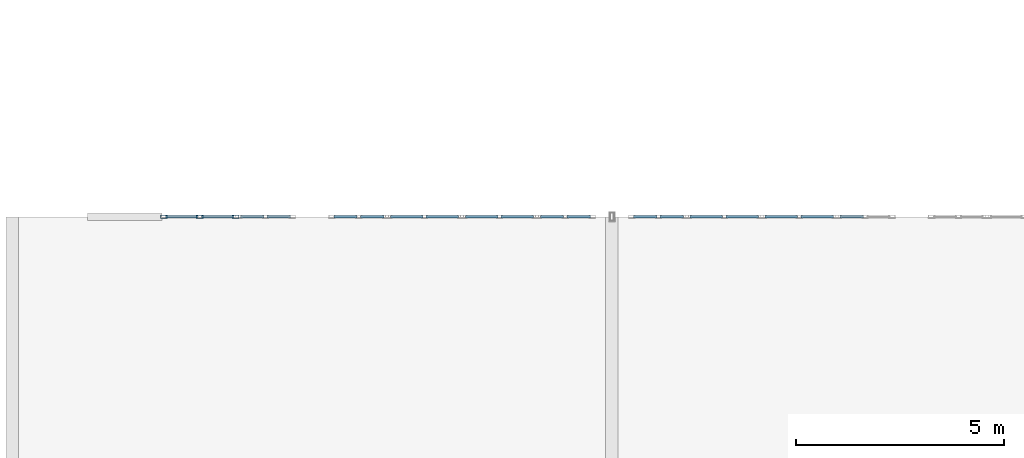
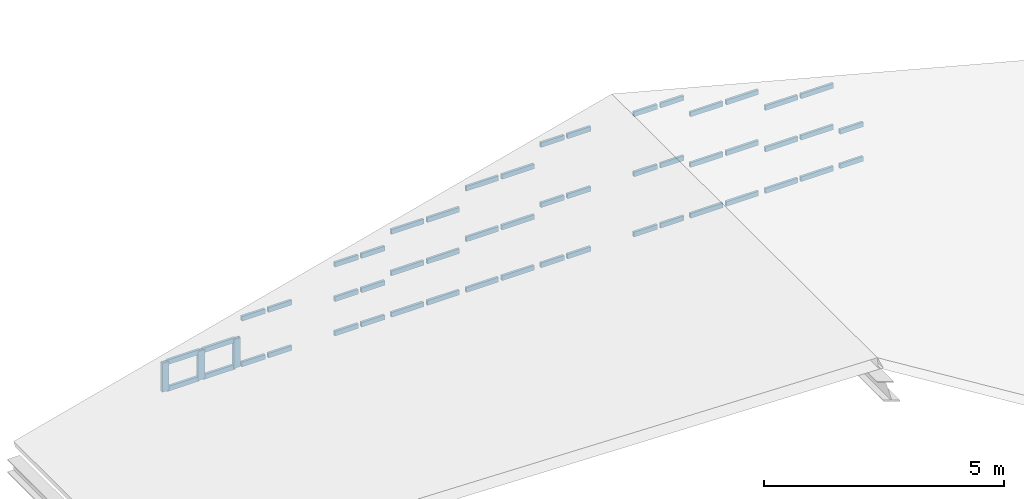
# One storey, part 38 of 76: 55 members, 10 elements without a shape of their own.
"""IFC4 building model written with IfcOpenShell, lengths in metres."""

from ifc_helpers import new_model, si_unit, direction, frame, origin, origin_2d, place, context, subcontext, project, spatial, hollow_rectangle, extrude, material, layer, layer_set, material_profile, profile_set, type_object, element, aggregate, save


model = new_model("IFC4")

# Units and contexts
model_context = context("Model", 3, precision=1e-05, world=origin(), true_north=direction((0.0, 1.0)))
body_context = subcontext(model_context, "Body", "Model", "MODEL_VIEW")
ifc_project = project(units=[si_unit("LENGTHUNIT", "METRE"), si_unit("AREAUNIT", "SQUARE_METRE"), si_unit("VOLUMEUNIT", "CUBIC_METRE"), si_unit("PLANEANGLEUNIT", "RADIAN"), si_unit("MASSUNIT", "GRAM", prefix="KILO"), si_unit("THERMODYNAMICTEMPERATUREUNIT", "KELVIN"), si_unit("POWERUNIT", "WATT")], contexts=[model_context])

# Site, building, storey
site_placement = place(None, origin())
site = spatial("IfcSite", under=ifc_project, at=site_placement, CompositionType="ELEMENT")
building_placement = place(site_placement, origin())
building = spatial("IfcBuilding", under=site, at=building_placement, Name="Kaldorven Railside Theatre", CompositionType="ELEMENT")
storey_placement = place(building_placement, frame((0.0, 0.0, 14.39990234375)))
storey = spatial("IfcBuildingStorey", under=building, at=storey_placement, Name="L03", CompositionType="ELEMENT", Elevation=14.39990234375)

# Curtain wall, members
ifc_material_1 = material(Name="Low-E laminated solar-control glass", Category="glass")
ifc_layer_1 = layer(ifc_material_1, 0.159912109375, Name="Low-E laminated solar-control glass")
ifc_layer_set_1 = layer_set([ifc_layer_1], Name="Low-E laminated solar-control glass")
curtain_wall_type_1 = type_object("IfcCurtainWallType", Name="CWT-60", PredefinedType="USERDEFINED", material=ifc_layer_set_1)
curtain_wall_1_placement = place(storey_placement, origin())
curtain_wall_1 = element("IfcCurtainWall", 1, at=curtain_wall_1_placement, inside=storey, type_object=curtain_wall_type_1, Name="Studio North Gable Clerestory CWG-126", ObjectType="FLUTED GLAZING", PredefinedType="USERDEFINED")
ifc_material_2 = material(Name="Anodised bronze aluminium", Category="aluminium")
ifc_material_profile_1 = material_profile(ifc_material_2, hollow_rectangle(XDim=0.080078125, YDim=0.159912109375, WallThickness=0.00634765625, at=origin_2d()), Name="RHS 160x80x6.3")
ifc_profile_set_1 = profile_set([ifc_material_profile_1], Name="Anodised bronze aluminium")
member_type_1 = type_object("IfcMemberType", Name="CWM-160", PredefinedType="MULLION", material=ifc_profile_set_1)
member_1_placement = place(storey_placement, frame((11.639892578125, 48.0, 0.02001953125), z_axis=(0.0, 0.0, 1.0), x_axis=(0.0, 1.0, 0.0)))
member_1 = element("IfcMember", 2, at=member_1_placement, type_object=member_type_1, Name="CWG-126 mullion 1", PredefinedType="MULLION", context=body_context, shape_type="SweptSolid", body=[
    extrude(hollow_rectangle(XDim=0.080078125, YDim=0.159912109375, WallThickness=0.00634765625, at=origin_2d()), origin(), (0.0, 0.0, 1.0), 0.739990234375),
])
member_2_placement = place(storey_placement, frame((12.5, 48.0, 0.02001953125), z_axis=(0.0, 0.0, 1.0), x_axis=(0.0, 1.0, 0.0)))
member_2 = element("IfcMember", 3, at=member_2_placement, type_object=member_type_1, Name="CWG-126 mullion 2", PredefinedType="MULLION", context=body_context, shape_type="SweptSolid", body=[
    extrude(hollow_rectangle(XDim=0.080078125, YDim=0.159912109375, WallThickness=0.00634765625, at=origin_2d()), origin(), (0.0, 0.0, 1.0), 0.739990234375),
])
member_3_placement = place(storey_placement, frame((13.360107421875, 48.0, 0.02001953125), z_axis=(0.0, 0.0, 1.0), x_axis=(0.0, 1.0, 0.0)))
member_3 = element("IfcMember", 4, at=member_3_placement, type_object=member_type_1, Name="CWG-126 mullion 3", PredefinedType="MULLION", context=body_context, shape_type="SweptSolid", body=[
    extrude(hollow_rectangle(XDim=0.080078125, YDim=0.159912109375, WallThickness=0.00634765625, at=origin_2d()), origin(), (0.0, 0.0, 1.0), 0.739990234375),
])
ifc_material_profile_2 = material_profile(ifc_material_2, hollow_rectangle(XDim=0.06005859375, YDim=0.1201171875, WallThickness=0.0048828125, at=origin_2d()), Name="RHS 120x60x5")
ifc_profile_set_2 = profile_set([ifc_material_profile_2], Name="Anodised bronze aluminium")
member_type_2 = type_object("IfcMemberType", Name="CWT-120", PredefinedType="USERDEFINED", material=ifc_profile_set_2)
member_4_placement = place(storey_placement, frame((11.679931640625, 48.0, 0.050048828125), z_axis=(1.0, 0.0, 0.0), x_axis=(0.0, 1.0, 0.0)))
member_4 = element("IfcMember", 5, at=member_4_placement, type_object=member_type_2, Name="CWG-126 transom 1.1", ObjectType="TRANSOM", PredefinedType="USERDEFINED", context=body_context, shape_type="SweptSolid", body=[
    extrude(hollow_rectangle(XDim=0.06005859375, YDim=0.1201171875, WallThickness=0.0048828125, at=origin_2d()), origin(), (0.0, 0.0, 1.0), 0.780029296875),
])
member_5_placement = place(storey_placement, frame((11.679931640625, 48.0, 0.72998046875), z_axis=(1.0, 0.0, 0.0), x_axis=(0.0, 1.0, 0.0)))
member_5 = element("IfcMember", 6, at=member_5_placement, type_object=member_type_2, Name="CWG-126 transom 1.2", ObjectType="TRANSOM", PredefinedType="USERDEFINED", context=body_context, shape_type="SweptSolid", body=[
    extrude(hollow_rectangle(XDim=0.06005859375, YDim=0.1201171875, WallThickness=0.0048828125, at=origin_2d()), origin(), (0.0, 0.0, 1.0), 0.780029296875),
])
member_6_placement = place(storey_placement, frame((12.5400390625, 48.0, 0.050048828125), z_axis=(1.0, 0.0, 0.0), x_axis=(0.0, 1.0, 0.0)))
member_6 = element("IfcMember", 7, at=member_6_placement, type_object=member_type_2, Name="CWG-126 transom 2.1", ObjectType="TRANSOM", PredefinedType="USERDEFINED", context=body_context, shape_type="SweptSolid", body=[
    extrude(hollow_rectangle(XDim=0.06005859375, YDim=0.1201171875, WallThickness=0.0048828125, at=origin_2d()), origin(), (0.0, 0.0, 1.0), 0.780029296875),
])
member_7_placement = place(storey_placement, frame((12.5400390625, 48.0, 0.72998046875), z_axis=(1.0, 0.0, 0.0), x_axis=(0.0, 1.0, 0.0)))
member_7 = element("IfcMember", 8, at=member_7_placement, type_object=member_type_2, Name="CWG-126 transom 2.2", ObjectType="TRANSOM", PredefinedType="USERDEFINED", context=body_context, shape_type="SweptSolid", body=[
    extrude(hollow_rectangle(XDim=0.06005859375, YDim=0.1201171875, WallThickness=0.0048828125, at=origin_2d()), origin(), (0.0, 0.0, 1.0), 0.780029296875),
])
aggregate(curtain_wall_1, [member_1, member_2, member_3, member_4, member_5, member_6, member_7])

ifc_layer_2 = layer(ifc_material_1, 0.159912109375, Name="Low-E laminated solar-control glass")
ifc_layer_set_2 = layer_set([ifc_layer_2], Name="Low-E laminated solar-control glass")
curtain_wall_type_2 = type_object("IfcCurtainWallType", Name="CWT-61", PredefinedType="USERDEFINED", material=ifc_layer_set_2)
curtain_wall_2_placement = place(storey_placement, origin())
curtain_wall_2 = element("IfcCurtainWall", 9, at=curtain_wall_2_placement, inside=storey, type_object=curtain_wall_type_2, Name="Studio North Gable Clerestory CWG-127", ObjectType="FLUTED GLAZING", PredefinedType="USERDEFINED")
member_8_placement = place(storey_placement, frame((13.47998046875, 48.0, 0.050048828125), z_axis=(1.0, 0.0, 0.0), x_axis=(0.0, 1.0, 0.0)))
member_8 = element("IfcMember", 10, at=member_8_placement, type_object=member_type_2, Name="CWG-127 transom 1.1", ObjectType="TRANSOM", PredefinedType="USERDEFINED", context=body_context, shape_type="SweptSolid", body=[
    extrude(hollow_rectangle(XDim=0.06005859375, YDim=0.1201171875, WallThickness=0.0048828125, at=origin_2d()), origin(), (0.0, 0.0, 1.0), 0.56005859375),
])
member_9_placement = place(storey_placement, frame((13.47998046875, 48.0, 1.210205078125), z_axis=(1.0, 0.0, 0.0), x_axis=(0.0, 1.0, 0.0)))
member_9 = element("IfcMember", 11, at=member_9_placement, type_object=member_type_2, Name="CWG-127 transom 1.2", ObjectType="TRANSOM", PredefinedType="USERDEFINED", context=body_context, shape_type="SweptSolid", body=[
    extrude(hollow_rectangle(XDim=0.06005859375, YDim=0.1201171875, WallThickness=0.0048828125, at=origin_2d()), origin(), (0.0, 0.0, 1.0), 0.56005859375),
])
member_10_placement = place(storey_placement, frame((14.1201171875, 48.0, 0.050048828125), z_axis=(1.0, 0.0, 0.0), x_axis=(0.0, 1.0, 0.0)))
member_10 = element("IfcMember", 12, at=member_10_placement, type_object=member_type_2, Name="CWG-127 transom 2.1", ObjectType="TRANSOM", PredefinedType="USERDEFINED", context=body_context, shape_type="SweptSolid", body=[
    extrude(hollow_rectangle(XDim=0.06005859375, YDim=0.1201171875, WallThickness=0.0048828125, at=origin_2d()), origin(), (0.0, 0.0, 1.0), 0.559814453125),
])
member_11_placement = place(storey_placement, frame((14.1201171875, 48.0, 1.210205078125), z_axis=(1.0, 0.0, 0.0), x_axis=(0.0, 1.0, 0.0)))
member_11 = element("IfcMember", 13, at=member_11_placement, type_object=member_type_2, Name="CWG-127 transom 2.2", ObjectType="TRANSOM", PredefinedType="USERDEFINED", context=body_context, shape_type="SweptSolid", body=[
    extrude(hollow_rectangle(XDim=0.06005859375, YDim=0.1201171875, WallThickness=0.0048828125, at=origin_2d()), origin(), (0.0, 0.0, 1.0), 0.559814453125),
])
aggregate(curtain_wall_2, [member_8, member_9, member_10, member_11])

ifc_layer_3 = layer(ifc_material_1, 0.159912109375, Name="Low-E laminated solar-control glass")
ifc_layer_set_3 = layer_set([ifc_layer_3], Name="Low-E laminated solar-control glass")
curtain_wall_type_3 = type_object("IfcCurtainWallType", Name="CWT-62", PredefinedType="USERDEFINED", material=ifc_layer_set_3)
curtain_wall_3_placement = place(storey_placement, origin())
curtain_wall_3 = element("IfcCurtainWall", 14, at=curtain_wall_3_placement, inside=storey, type_object=curtain_wall_type_3, Name="Studio North Gable Clerestory CWG-128", ObjectType="FLUTED GLAZING", PredefinedType="USERDEFINED")
member_12_placement = place(storey_placement, frame((15.719970703125, 48.0, 0.050048828125), z_axis=(1.0, 0.0, 0.0), x_axis=(0.0, 1.0, 0.0)))
member_12 = element("IfcMember", 15, at=member_12_placement, type_object=member_type_2, Name="CWG-128 transom 1.1", ObjectType="TRANSOM", PredefinedType="USERDEFINED", context=body_context, shape_type="SweptSolid", body=[
    extrude(hollow_rectangle(XDim=0.06005859375, YDim=0.1201171875, WallThickness=0.0048828125, at=origin_2d()), origin(), (0.0, 0.0, 1.0), 0.56005859375),
])
member_13_placement = place(storey_placement, frame((15.719970703125, 48.0, 0.925048828125), z_axis=(1.0, 0.0, 0.0), x_axis=(0.0, 1.0, 0.0)))
member_13 = element("IfcMember", 16, at=member_13_placement, type_object=member_type_2, Name="CWG-128 transom 1.2", ObjectType="TRANSOM", PredefinedType="USERDEFINED", context=body_context, shape_type="SweptSolid", body=[
    extrude(hollow_rectangle(XDim=0.06005859375, YDim=0.1201171875, WallThickness=0.0048828125, at=origin_2d()), origin(), (0.0, 0.0, 1.0), 0.56005859375),
])
member_14_placement = place(storey_placement, frame((15.719970703125, 48.0, 1.800048828125), z_axis=(1.0, 0.0, 0.0), x_axis=(0.0, 1.0, 0.0)))
member_14 = element("IfcMember", 17, at=member_14_placement, type_object=member_type_2, Name="CWG-128 transom 1.3", ObjectType="TRANSOM", PredefinedType="USERDEFINED", context=body_context, shape_type="SweptSolid", body=[
    extrude(hollow_rectangle(XDim=0.06005859375, YDim=0.1201171875, WallThickness=0.0048828125, at=origin_2d()), origin(), (0.0, 0.0, 1.0), 0.56005859375),
])
member_15_placement = place(storey_placement, frame((16.360107421875, 48.0, 0.050048828125), z_axis=(1.0, 0.0, 0.0), x_axis=(0.0, 1.0, 0.0)))
member_15 = element("IfcMember", 18, at=member_15_placement, type_object=member_type_2, Name="CWG-128 transom 2.1", ObjectType="TRANSOM", PredefinedType="USERDEFINED", context=body_context, shape_type="SweptSolid", body=[
    extrude(hollow_rectangle(XDim=0.06005859375, YDim=0.1201171875, WallThickness=0.0048828125, at=origin_2d()), origin(), (0.0, 0.0, 1.0), 0.559814453125),
])
member_16_placement = place(storey_placement, frame((16.360107421875, 48.0, 0.925048828125), z_axis=(1.0, 0.0, 0.0), x_axis=(0.0, 1.0, 0.0)))
member_16 = element("IfcMember", 19, at=member_16_placement, type_object=member_type_2, Name="CWG-128 transom 2.2", ObjectType="TRANSOM", PredefinedType="USERDEFINED", context=body_context, shape_type="SweptSolid", body=[
    extrude(hollow_rectangle(XDim=0.06005859375, YDim=0.1201171875, WallThickness=0.0048828125, at=origin_2d()), origin(), (0.0, 0.0, 1.0), 0.559814453125),
])
member_17_placement = place(storey_placement, frame((16.360107421875, 48.0, 1.800048828125), z_axis=(1.0, 0.0, 0.0), x_axis=(0.0, 1.0, 0.0)))
member_17 = element("IfcMember", 20, at=member_17_placement, type_object=member_type_2, Name="CWG-128 transom 2.3", ObjectType="TRANSOM", PredefinedType="USERDEFINED", context=body_context, shape_type="SweptSolid", body=[
    extrude(hollow_rectangle(XDim=0.06005859375, YDim=0.1201171875, WallThickness=0.0048828125, at=origin_2d()), origin(), (0.0, 0.0, 1.0), 0.559814453125),
])
aggregate(curtain_wall_3, [member_12, member_13, member_14, member_15, member_16, member_17])

ifc_layer_4 = layer(ifc_material_1, 0.159912109375, Name="Low-E laminated solar-control glass")
ifc_layer_set_4 = layer_set([ifc_layer_4], Name="Low-E laminated solar-control glass")
curtain_wall_type_4 = type_object("IfcCurtainWallType", Name="CWT-63", PredefinedType="USERDEFINED", material=ifc_layer_set_4)
curtain_wall_4_placement = place(storey_placement, origin())
curtain_wall_4 = element("IfcCurtainWall", 21, at=curtain_wall_4_placement, inside=storey, type_object=curtain_wall_type_4, Name="Studio North Gable Clerestory CWG-129", ObjectType="FLUTED GLAZING", PredefinedType="USERDEFINED")
member_18_placement = place(storey_placement, frame((17.080078125, 48.0, 0.050048828125), z_axis=(1.0, 0.0, 0.0), x_axis=(0.0, 1.0, 0.0)))
member_18 = element("IfcMember", 22, at=member_18_placement, type_object=member_type_2, Name="CWG-129 transom 1.1", ObjectType="TRANSOM", PredefinedType="USERDEFINED", context=body_context, shape_type="SweptSolid", body=[
    extrude(hollow_rectangle(XDim=0.06005859375, YDim=0.1201171875, WallThickness=0.0048828125, at=origin_2d()), origin(), (0.0, 0.0, 1.0), 0.780029296875),
])
member_19_placement = place(storey_placement, frame((17.080078125, 48.0, 1.10498046875), z_axis=(1.0, 0.0, 0.0), x_axis=(0.0, 1.0, 0.0)))
member_19 = element("IfcMember", 23, at=member_19_placement, type_object=member_type_2, Name="CWG-129 transom 1.2", ObjectType="TRANSOM", PredefinedType="USERDEFINED", context=body_context, shape_type="SweptSolid", body=[
    extrude(hollow_rectangle(XDim=0.06005859375, YDim=0.1201171875, WallThickness=0.0048828125, at=origin_2d()), origin(), (0.0, 0.0, 1.0), 0.780029296875),
])
member_20_placement = place(storey_placement, frame((17.080078125, 48.0, 2.16015625), z_axis=(1.0, 0.0, 0.0), x_axis=(0.0, 1.0, 0.0)))
member_20 = element("IfcMember", 24, at=member_20_placement, type_object=member_type_2, Name="CWG-129 transom 1.3", ObjectType="TRANSOM", PredefinedType="USERDEFINED", context=body_context, shape_type="SweptSolid", body=[
    extrude(hollow_rectangle(XDim=0.06005859375, YDim=0.1201171875, WallThickness=0.0048828125, at=origin_2d()), origin(), (0.0, 0.0, 1.0), 0.780029296875),
])
member_21_placement = place(storey_placement, frame((17.93994140625, 48.0, 0.050048828125), z_axis=(1.0, 0.0, 0.0), x_axis=(0.0, 1.0, 0.0)))
member_21 = element("IfcMember", 25, at=member_21_placement, type_object=member_type_2, Name="CWG-129 transom 2.1", ObjectType="TRANSOM", PredefinedType="USERDEFINED", context=body_context, shape_type="SweptSolid", body=[
    extrude(hollow_rectangle(XDim=0.06005859375, YDim=0.1201171875, WallThickness=0.0048828125, at=origin_2d()), origin(), (0.0, 0.0, 1.0), 0.780029296875),
])
member_22_placement = place(storey_placement, frame((17.93994140625, 48.0, 1.10498046875), z_axis=(1.0, 0.0, 0.0), x_axis=(0.0, 1.0, 0.0)))
member_22 = element("IfcMember", 26, at=member_22_placement, type_object=member_type_2, Name="CWG-129 transom 2.2", ObjectType="TRANSOM", PredefinedType="USERDEFINED", context=body_context, shape_type="SweptSolid", body=[
    extrude(hollow_rectangle(XDim=0.06005859375, YDim=0.1201171875, WallThickness=0.0048828125, at=origin_2d()), origin(), (0.0, 0.0, 1.0), 0.780029296875),
])
member_23_placement = place(storey_placement, frame((17.93994140625, 48.0, 2.16015625), z_axis=(1.0, 0.0, 0.0), x_axis=(0.0, 1.0, 0.0)))
member_23 = element("IfcMember", 27, at=member_23_placement, type_object=member_type_2, Name="CWG-129 transom 2.3", ObjectType="TRANSOM", PredefinedType="USERDEFINED", context=body_context, shape_type="SweptSolid", body=[
    extrude(hollow_rectangle(XDim=0.06005859375, YDim=0.1201171875, WallThickness=0.0048828125, at=origin_2d()), origin(), (0.0, 0.0, 1.0), 0.780029296875),
])
aggregate(curtain_wall_4, [member_18, member_19, member_20, member_21, member_22, member_23])

ifc_layer_5 = layer(ifc_material_1, 0.159912109375, Name="Low-E laminated solar-control glass")
ifc_layer_set_5 = layer_set([ifc_layer_5], Name="Low-E laminated solar-control glass")
curtain_wall_type_5 = type_object("IfcCurtainWallType", Name="CWT-64", PredefinedType="USERDEFINED", material=ifc_layer_set_5)
curtain_wall_5_placement = place(storey_placement, origin())
curtain_wall_5 = element("IfcCurtainWall", 28, at=curtain_wall_5_placement, inside=storey, type_object=curtain_wall_type_5, Name="Studio North Gable Clerestory CWG-130", ObjectType="FLUTED GLAZING", PredefinedType="USERDEFINED")
member_24_placement = place(storey_placement, frame((18.8798828125, 48.0, 0.050048828125), z_axis=(1.0, 0.0, 0.0), x_axis=(0.0, 1.0, 0.0)))
member_24 = element("IfcMember", 29, at=member_24_placement, type_object=member_type_2, Name="CWG-130 transom 1.1", ObjectType="TRANSOM", PredefinedType="USERDEFINED", context=body_context, shape_type="SweptSolid", body=[
    extrude(hollow_rectangle(XDim=0.06005859375, YDim=0.1201171875, WallThickness=0.0048828125, at=origin_2d()), origin(), (0.0, 0.0, 1.0), 0.780029296875),
])
member_25_placement = place(storey_placement, frame((18.8798828125, 48.0, 1.340087890625), z_axis=(1.0, 0.0, 0.0), x_axis=(0.0, 1.0, 0.0)))
member_25 = element("IfcMember", 30, at=member_25_placement, type_object=member_type_2, Name="CWG-130 transom 1.2", ObjectType="TRANSOM", PredefinedType="USERDEFINED", context=body_context, shape_type="SweptSolid", body=[
    extrude(hollow_rectangle(XDim=0.06005859375, YDim=0.1201171875, WallThickness=0.0048828125, at=origin_2d()), origin(), (0.0, 0.0, 1.0), 0.780029296875),
])
member_26_placement = place(storey_placement, frame((18.8798828125, 48.0, 2.630126953125), z_axis=(1.0, 0.0, 0.0), x_axis=(0.0, 1.0, 0.0)))
member_26 = element("IfcMember", 31, at=member_26_placement, type_object=member_type_2, Name="CWG-130 transom 1.3", ObjectType="TRANSOM", PredefinedType="USERDEFINED", context=body_context, shape_type="SweptSolid", body=[
    extrude(hollow_rectangle(XDim=0.06005859375, YDim=0.1201171875, WallThickness=0.0048828125, at=origin_2d()), origin(), (0.0, 0.0, 1.0), 0.780029296875),
])
member_27_placement = place(storey_placement, frame((19.739990234375, 48.0, 0.050048828125), z_axis=(1.0, 0.0, 0.0), x_axis=(0.0, 1.0, 0.0)))
member_27 = element("IfcMember", 32, at=member_27_placement, type_object=member_type_2, Name="CWG-130 transom 2.1", ObjectType="TRANSOM", PredefinedType="USERDEFINED", context=body_context, shape_type="SweptSolid", body=[
    extrude(hollow_rectangle(XDim=0.06005859375, YDim=0.1201171875, WallThickness=0.0048828125, at=origin_2d()), origin(), (0.0, 0.0, 1.0), 0.780029296875),
])
member_28_placement = place(storey_placement, frame((19.739990234375, 48.0, 1.340087890625), z_axis=(1.0, 0.0, 0.0), x_axis=(0.0, 1.0, 0.0)))
member_28 = element("IfcMember", 33, at=member_28_placement, type_object=member_type_2, Name="CWG-130 transom 2.2", ObjectType="TRANSOM", PredefinedType="USERDEFINED", context=body_context, shape_type="SweptSolid", body=[
    extrude(hollow_rectangle(XDim=0.06005859375, YDim=0.1201171875, WallThickness=0.0048828125, at=origin_2d()), origin(), (0.0, 0.0, 1.0), 0.780029296875),
])
member_29_placement = place(storey_placement, frame((19.739990234375, 48.0, 2.630126953125), z_axis=(1.0, 0.0, 0.0), x_axis=(0.0, 1.0, 0.0)))
member_29 = element("IfcMember", 34, at=member_29_placement, type_object=member_type_2, Name="CWG-130 transom 2.3", ObjectType="TRANSOM", PredefinedType="USERDEFINED", context=body_context, shape_type="SweptSolid", body=[
    extrude(hollow_rectangle(XDim=0.06005859375, YDim=0.1201171875, WallThickness=0.0048828125, at=origin_2d()), origin(), (0.0, 0.0, 1.0), 0.780029296875),
])
aggregate(curtain_wall_5, [member_24, member_25, member_26, member_27, member_28, member_29])

ifc_layer_6 = layer(ifc_material_1, 0.159912109375, Name="Low-E laminated solar-control glass")
ifc_layer_set_6 = layer_set([ifc_layer_6], Name="Low-E laminated solar-control glass")
curtain_wall_type_6 = type_object("IfcCurtainWallType", Name="CWT-66", PredefinedType="USERDEFINED", material=ifc_layer_set_6)
curtain_wall_6_placement = place(storey_placement, origin())
curtain_wall_6 = element("IfcCurtainWall", 35, at=curtain_wall_6_placement, inside=storey, type_object=curtain_wall_type_6, Name="Studio North Gable Clerestory CWG-131", ObjectType="FLUTED GLAZING", PredefinedType="USERDEFINED")
member_30_placement = place(storey_placement, frame((20.679931640625, 48.0, 0.050048828125), z_axis=(1.0, 0.0, 0.0), x_axis=(0.0, 1.0, 0.0)))
member_30 = element("IfcMember", 36, at=member_30_placement, type_object=member_type_2, Name="CWG-131 transom 1.1", ObjectType="TRANSOM", PredefinedType="USERDEFINED", context=body_context, shape_type="SweptSolid", body=[
    extrude(hollow_rectangle(XDim=0.06005859375, YDim=0.1201171875, WallThickness=0.0048828125, at=origin_2d()), origin(), (0.0, 0.0, 1.0), 0.56005859375),
])
member_31_placement = place(storey_placement, frame((20.679931640625, 48.0, 1.580078125), z_axis=(1.0, 0.0, 0.0), x_axis=(0.0, 1.0, 0.0)))
member_31 = element("IfcMember", 37, at=member_31_placement, type_object=member_type_2, Name="CWG-131 transom 1.2", ObjectType="TRANSOM", PredefinedType="USERDEFINED", context=body_context, shape_type="SweptSolid", body=[
    extrude(hollow_rectangle(XDim=0.06005859375, YDim=0.1201171875, WallThickness=0.0048828125, at=origin_2d()), origin(), (0.0, 0.0, 1.0), 0.56005859375),
])
member_32_placement = place(storey_placement, frame((20.679931640625, 48.0, 3.110107421875), z_axis=(1.0, 0.0, 0.0), x_axis=(0.0, 1.0, 0.0)))
member_32 = element("IfcMember", 38, at=member_32_placement, type_object=member_type_2, Name="CWG-131 transom 1.3", ObjectType="TRANSOM", PredefinedType="USERDEFINED", context=body_context, shape_type="SweptSolid", body=[
    extrude(hollow_rectangle(XDim=0.06005859375, YDim=0.1201171875, WallThickness=0.0048828125, at=origin_2d()), origin(), (0.0, 0.0, 1.0), 0.56005859375),
])
member_33_placement = place(storey_placement, frame((21.320068359375, 48.0, 0.050048828125), z_axis=(1.0, 0.0, 0.0), x_axis=(0.0, 1.0, 0.0)))
member_33 = element("IfcMember", 39, at=member_33_placement, type_object=member_type_2, Name="CWG-131 transom 2.1", ObjectType="TRANSOM", PredefinedType="USERDEFINED", context=body_context, shape_type="SweptSolid", body=[
    extrude(hollow_rectangle(XDim=0.06005859375, YDim=0.1201171875, WallThickness=0.0048828125, at=origin_2d()), origin(), (0.0, 0.0, 1.0), 0.559814453125),
])
member_34_placement = place(storey_placement, frame((21.320068359375, 48.0, 1.580078125), z_axis=(1.0, 0.0, 0.0), x_axis=(0.0, 1.0, 0.0)))
member_34 = element("IfcMember", 40, at=member_34_placement, type_object=member_type_2, Name="CWG-131 transom 2.2", ObjectType="TRANSOM", PredefinedType="USERDEFINED", context=body_context, shape_type="SweptSolid", body=[
    extrude(hollow_rectangle(XDim=0.06005859375, YDim=0.1201171875, WallThickness=0.0048828125, at=origin_2d()), origin(), (0.0, 0.0, 1.0), 0.559814453125),
])
member_35_placement = place(storey_placement, frame((21.320068359375, 48.0, 3.110107421875), z_axis=(1.0, 0.0, 0.0), x_axis=(0.0, 1.0, 0.0)))
member_35 = element("IfcMember", 41, at=member_35_placement, type_object=member_type_2, Name="CWG-131 transom 2.3", ObjectType="TRANSOM", PredefinedType="USERDEFINED", context=body_context, shape_type="SweptSolid", body=[
    extrude(hollow_rectangle(XDim=0.06005859375, YDim=0.1201171875, WallThickness=0.0048828125, at=origin_2d()), origin(), (0.0, 0.0, 1.0), 0.559814453125),
])
aggregate(curtain_wall_6, [member_30, member_31, member_32, member_33, member_34, member_35])

curtain_wall_7_placement = place(storey_placement, origin())
curtain_wall_7 = element("IfcCurtainWall", 42, at=curtain_wall_7_placement, inside=storey, type_object=curtain_wall_type_6, Name="Studio North Gable Clerestory CWG-132", ObjectType="FLUTED GLAZING", PredefinedType="USERDEFINED")
member_36_placement = place(storey_placement, frame((22.919921875, 48.0, 0.050048828125), z_axis=(1.0, 0.0, 0.0), x_axis=(0.0, 1.0, 0.0)))
member_36 = element("IfcMember", 43, at=member_36_placement, type_object=member_type_2, Name="CWG-132 transom 1.1", ObjectType="TRANSOM", PredefinedType="USERDEFINED", context=body_context, shape_type="SweptSolid", body=[
    extrude(hollow_rectangle(XDim=0.06005859375, YDim=0.1201171875, WallThickness=0.0048828125, at=origin_2d()), origin(), (0.0, 0.0, 1.0), 0.56005859375),
])
member_37_placement = place(storey_placement, frame((22.919921875, 48.0, 1.580078125), z_axis=(1.0, 0.0, 0.0), x_axis=(0.0, 1.0, 0.0)))
member_37 = element("IfcMember", 44, at=member_37_placement, type_object=member_type_2, Name="CWG-132 transom 1.2", ObjectType="TRANSOM", PredefinedType="USERDEFINED", context=body_context, shape_type="SweptSolid", body=[
    extrude(hollow_rectangle(XDim=0.06005859375, YDim=0.1201171875, WallThickness=0.0048828125, at=origin_2d()), origin(), (0.0, 0.0, 1.0), 0.56005859375),
])
member_38_placement = place(storey_placement, frame((22.919921875, 48.0, 3.110107421875), z_axis=(1.0, 0.0, 0.0), x_axis=(0.0, 1.0, 0.0)))
member_38 = element("IfcMember", 45, at=member_38_placement, type_object=member_type_2, Name="CWG-132 transom 1.3", ObjectType="TRANSOM", PredefinedType="USERDEFINED", context=body_context, shape_type="SweptSolid", body=[
    extrude(hollow_rectangle(XDim=0.06005859375, YDim=0.1201171875, WallThickness=0.0048828125, at=origin_2d()), origin(), (0.0, 0.0, 1.0), 0.56005859375),
])
member_39_placement = place(storey_placement, frame((23.56005859375, 48.0, 0.050048828125), z_axis=(1.0, 0.0, 0.0), x_axis=(0.0, 1.0, 0.0)))
member_39 = element("IfcMember", 46, at=member_39_placement, type_object=member_type_2, Name="CWG-132 transom 2.1", ObjectType="TRANSOM", PredefinedType="USERDEFINED", context=body_context, shape_type="SweptSolid", body=[
    extrude(hollow_rectangle(XDim=0.06005859375, YDim=0.1201171875, WallThickness=0.0048828125, at=origin_2d()), origin(), (0.0, 0.0, 1.0), 0.56005859375),
])
member_40_placement = place(storey_placement, frame((23.56005859375, 48.0, 1.580078125), z_axis=(1.0, 0.0, 0.0), x_axis=(0.0, 1.0, 0.0)))
member_40 = element("IfcMember", 47, at=member_40_placement, type_object=member_type_2, Name="CWG-132 transom 2.2", ObjectType="TRANSOM", PredefinedType="USERDEFINED", context=body_context, shape_type="SweptSolid", body=[
    extrude(hollow_rectangle(XDim=0.06005859375, YDim=0.1201171875, WallThickness=0.0048828125, at=origin_2d()), origin(), (0.0, 0.0, 1.0), 0.56005859375),
])
member_41_placement = place(storey_placement, frame((23.56005859375, 48.0, 3.110107421875), z_axis=(1.0, 0.0, 0.0), x_axis=(0.0, 1.0, 0.0)))
member_41 = element("IfcMember", 48, at=member_41_placement, type_object=member_type_2, Name="CWG-132 transom 2.3", ObjectType="TRANSOM", PredefinedType="USERDEFINED", context=body_context, shape_type="SweptSolid", body=[
    extrude(hollow_rectangle(XDim=0.06005859375, YDim=0.1201171875, WallThickness=0.0048828125, at=origin_2d()), origin(), (0.0, 0.0, 1.0), 0.56005859375),
])
aggregate(curtain_wall_7, [member_36, member_37, member_38, member_39, member_40, member_41])

curtain_wall_8_placement = place(storey_placement, origin())
curtain_wall_8 = element("IfcCurtainWall", 49, at=curtain_wall_8_placement, inside=storey, type_object=curtain_wall_type_5, Name="Studio North Gable Clerestory CWG-133", ObjectType="FLUTED GLAZING", PredefinedType="USERDEFINED")
member_42_placement = place(storey_placement, frame((24.280029296875, 48.0, 0.050048828125), z_axis=(1.0, 0.0, 0.0), x_axis=(0.0, 1.0, 0.0)))
member_42 = element("IfcMember", 50, at=member_42_placement, type_object=member_type_2, Name="CWG-133 transom 1.1", ObjectType="TRANSOM", PredefinedType="USERDEFINED", context=body_context, shape_type="SweptSolid", body=[
    extrude(hollow_rectangle(XDim=0.06005859375, YDim=0.1201171875, WallThickness=0.0048828125, at=origin_2d()), origin(), (0.0, 0.0, 1.0), 0.780029296875),
])
member_43_placement = place(storey_placement, frame((24.280029296875, 48.0, 1.340087890625), z_axis=(1.0, 0.0, 0.0), x_axis=(0.0, 1.0, 0.0)))
member_43 = element("IfcMember", 51, at=member_43_placement, type_object=member_type_2, Name="CWG-133 transom 1.2", ObjectType="TRANSOM", PredefinedType="USERDEFINED", context=body_context, shape_type="SweptSolid", body=[
    extrude(hollow_rectangle(XDim=0.06005859375, YDim=0.1201171875, WallThickness=0.0048828125, at=origin_2d()), origin(), (0.0, 0.0, 1.0), 0.780029296875),
])
member_44_placement = place(storey_placement, frame((24.280029296875, 48.0, 2.630126953125), z_axis=(1.0, 0.0, 0.0), x_axis=(0.0, 1.0, 0.0)))
member_44 = element("IfcMember", 52, at=member_44_placement, type_object=member_type_2, Name="CWG-133 transom 1.3", ObjectType="TRANSOM", PredefinedType="USERDEFINED", context=body_context, shape_type="SweptSolid", body=[
    extrude(hollow_rectangle(XDim=0.06005859375, YDim=0.1201171875, WallThickness=0.0048828125, at=origin_2d()), origin(), (0.0, 0.0, 1.0), 0.780029296875),
])
member_45_placement = place(storey_placement, frame((25.139892578125, 48.0, 0.050048828125), z_axis=(1.0, 0.0, 0.0), x_axis=(0.0, 1.0, 0.0)))
member_45 = element("IfcMember", 53, at=member_45_placement, type_object=member_type_2, Name="CWG-133 transom 2.1", ObjectType="TRANSOM", PredefinedType="USERDEFINED", context=body_context, shape_type="SweptSolid", body=[
    extrude(hollow_rectangle(XDim=0.06005859375, YDim=0.1201171875, WallThickness=0.0048828125, at=origin_2d()), origin(), (0.0, 0.0, 1.0), 0.780029296875),
])
member_46_placement = place(storey_placement, frame((25.139892578125, 48.0, 1.340087890625), z_axis=(1.0, 0.0, 0.0), x_axis=(0.0, 1.0, 0.0)))
member_46 = element("IfcMember", 54, at=member_46_placement, type_object=member_type_2, Name="CWG-133 transom 2.2", ObjectType="TRANSOM", PredefinedType="USERDEFINED", context=body_context, shape_type="SweptSolid", body=[
    extrude(hollow_rectangle(XDim=0.06005859375, YDim=0.1201171875, WallThickness=0.0048828125, at=origin_2d()), origin(), (0.0, 0.0, 1.0), 0.780029296875),
])
member_47_placement = place(storey_placement, frame((25.139892578125, 48.0, 2.630126953125), z_axis=(1.0, 0.0, 0.0), x_axis=(0.0, 1.0, 0.0)))
member_47 = element("IfcMember", 55, at=member_47_placement, type_object=member_type_2, Name="CWG-133 transom 2.3", ObjectType="TRANSOM", PredefinedType="USERDEFINED", context=body_context, shape_type="SweptSolid", body=[
    extrude(hollow_rectangle(XDim=0.06005859375, YDim=0.1201171875, WallThickness=0.0048828125, at=origin_2d()), origin(), (0.0, 0.0, 1.0), 0.780029296875),
])
aggregate(curtain_wall_8, [member_42, member_43, member_44, member_45, member_46, member_47])

curtain_wall_9_placement = place(storey_placement, origin())
curtain_wall_9 = element("IfcCurtainWall", 56, at=curtain_wall_9_placement, inside=storey, type_object=curtain_wall_type_4, Name="Studio North Gable Clerestory CWG-134", ObjectType="FLUTED GLAZING", PredefinedType="USERDEFINED")
member_48_placement = place(storey_placement, frame((26.080078125, 48.0, 0.050048828125), z_axis=(1.0, 0.0, 0.0), x_axis=(0.0, 1.0, 0.0)))
member_48 = element("IfcMember", 57, at=member_48_placement, type_object=member_type_2, Name="CWG-134 transom 1.1", ObjectType="TRANSOM", PredefinedType="USERDEFINED", context=body_context, shape_type="SweptSolid", body=[
    extrude(hollow_rectangle(XDim=0.06005859375, YDim=0.1201171875, WallThickness=0.0048828125, at=origin_2d()), origin(), (0.0, 0.0, 1.0), 0.780029296875),
])
member_49_placement = place(storey_placement, frame((26.080078125, 48.0, 1.10498046875), z_axis=(1.0, 0.0, 0.0), x_axis=(0.0, 1.0, 0.0)))
member_49 = element("IfcMember", 58, at=member_49_placement, type_object=member_type_2, Name="CWG-134 transom 1.2", ObjectType="TRANSOM", PredefinedType="USERDEFINED", context=body_context, shape_type="SweptSolid", body=[
    extrude(hollow_rectangle(XDim=0.06005859375, YDim=0.1201171875, WallThickness=0.0048828125, at=origin_2d()), origin(), (0.0, 0.0, 1.0), 0.780029296875),
])
member_50_placement = place(storey_placement, frame((26.080078125, 48.0, 2.16015625), z_axis=(1.0, 0.0, 0.0), x_axis=(0.0, 1.0, 0.0)))
member_50 = element("IfcMember", 59, at=member_50_placement, type_object=member_type_2, Name="CWG-134 transom 1.3", ObjectType="TRANSOM", PredefinedType="USERDEFINED", context=body_context, shape_type="SweptSolid", body=[
    extrude(hollow_rectangle(XDim=0.06005859375, YDim=0.1201171875, WallThickness=0.0048828125, at=origin_2d()), origin(), (0.0, 0.0, 1.0), 0.780029296875),
])
member_51_placement = place(storey_placement, frame((26.93994140625, 48.0, 0.050048828125), z_axis=(1.0, 0.0, 0.0), x_axis=(0.0, 1.0, 0.0)))
member_51 = element("IfcMember", 60, at=member_51_placement, type_object=member_type_2, Name="CWG-134 transom 2.1", ObjectType="TRANSOM", PredefinedType="USERDEFINED", context=body_context, shape_type="SweptSolid", body=[
    extrude(hollow_rectangle(XDim=0.06005859375, YDim=0.1201171875, WallThickness=0.0048828125, at=origin_2d()), origin(), (0.0, 0.0, 1.0), 0.780029296875),
])
member_52_placement = place(storey_placement, frame((26.93994140625, 48.0, 1.10498046875), z_axis=(1.0, 0.0, 0.0), x_axis=(0.0, 1.0, 0.0)))
member_52 = element("IfcMember", 61, at=member_52_placement, type_object=member_type_2, Name="CWG-134 transom 2.2", ObjectType="TRANSOM", PredefinedType="USERDEFINED", context=body_context, shape_type="SweptSolid", body=[
    extrude(hollow_rectangle(XDim=0.06005859375, YDim=0.1201171875, WallThickness=0.0048828125, at=origin_2d()), origin(), (0.0, 0.0, 1.0), 0.780029296875),
])
member_53_placement = place(storey_placement, frame((26.93994140625, 48.0, 2.16015625), z_axis=(1.0, 0.0, 0.0), x_axis=(0.0, 1.0, 0.0)))
member_53 = element("IfcMember", 62, at=member_53_placement, type_object=member_type_2, Name="CWG-134 transom 2.3", ObjectType="TRANSOM", PredefinedType="USERDEFINED", context=body_context, shape_type="SweptSolid", body=[
    extrude(hollow_rectangle(XDim=0.06005859375, YDim=0.1201171875, WallThickness=0.0048828125, at=origin_2d()), origin(), (0.0, 0.0, 1.0), 0.780029296875),
])
aggregate(curtain_wall_9, [member_48, member_49, member_50, member_51, member_52, member_53])

curtain_wall_10_placement = place(storey_placement, origin())
curtain_wall_10 = element("IfcCurtainWall", 63, at=curtain_wall_10_placement, inside=storey, type_object=curtain_wall_type_3, Name="Studio North Gable Clerestory CWG-135", ObjectType="FLUTED GLAZING", PredefinedType="USERDEFINED")
member_54_placement = place(storey_placement, frame((27.8798828125, 48.0, 0.050048828125), z_axis=(1.0, 0.0, 0.0), x_axis=(0.0, 1.0, 0.0)))
member_54 = element("IfcMember", 64, at=member_54_placement, type_object=member_type_2, Name="CWG-135 transom 1.1", ObjectType="TRANSOM", PredefinedType="USERDEFINED", context=body_context, shape_type="SweptSolid", body=[
    extrude(hollow_rectangle(XDim=0.06005859375, YDim=0.1201171875, WallThickness=0.0048828125, at=origin_2d()), origin(), (0.0, 0.0, 1.0), 0.56005859375),
])
member_55_placement = place(storey_placement, frame((27.8798828125, 48.0, 0.925048828125), z_axis=(1.0, 0.0, 0.0), x_axis=(0.0, 1.0, 0.0)))
member_55 = element("IfcMember", 65, at=member_55_placement, type_object=member_type_2, Name="CWG-135 transom 1.2", ObjectType="TRANSOM", PredefinedType="USERDEFINED", context=body_context, shape_type="SweptSolid", body=[
    extrude(hollow_rectangle(XDim=0.06005859375, YDim=0.1201171875, WallThickness=0.0048828125, at=origin_2d()), origin(), (0.0, 0.0, 1.0), 0.56005859375),
])
aggregate(curtain_wall_10, [member_54, member_55])

save(model, "model.ifc")
